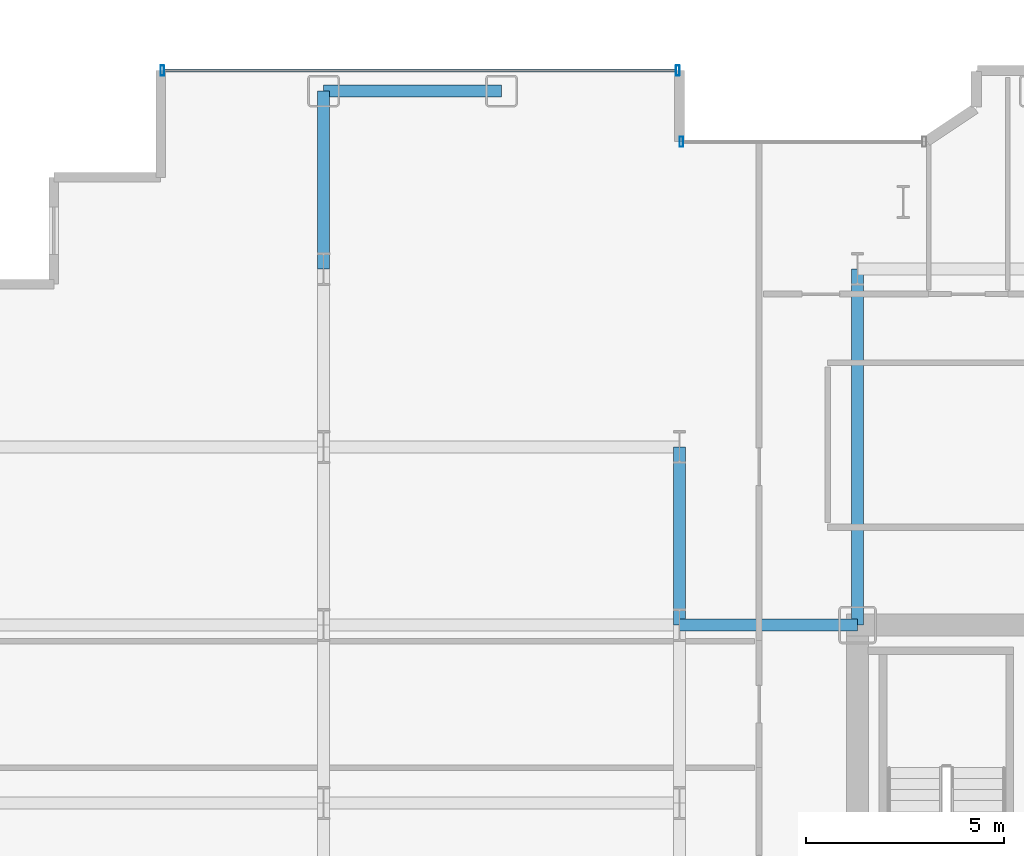
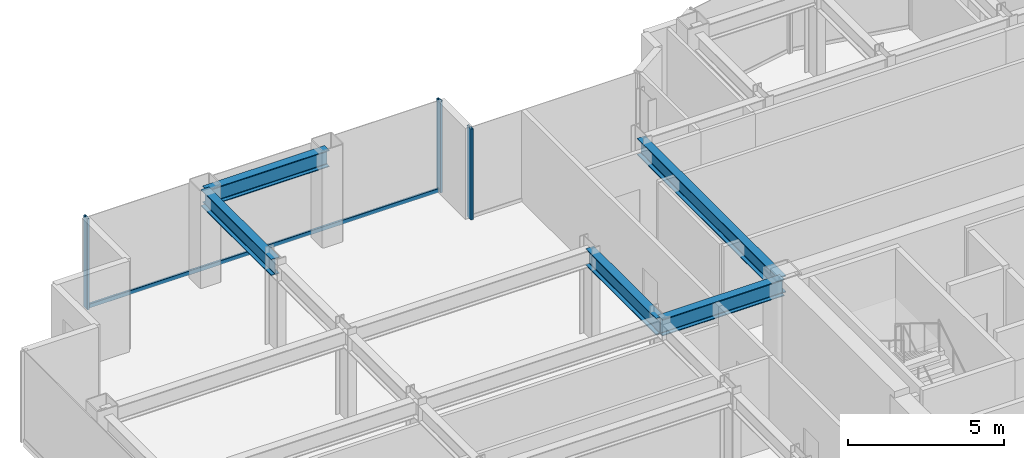
# One storey, part 13 of 27: 5 beams, 4 members, 2 elements without a shape of their own.
"""IFC4 building model written with IfcOpenShell, lengths in metres."""

from ifc_helpers import new_model, si_unit, direction, frame, origin, origin_2d, place, context, subcontext, project, spatial, hollow_rectangle, i_section, extrude, source, transform, mapped, material, layer, layer_set, material_profile, profile_set, type_object, element, aggregate, save


model = new_model("IFC4")

# Units and contexts
model_context = context("Model", 3, precision=1e-05, world=origin(), true_north=direction((0.0, 1.0)))
body_context = subcontext(model_context, "Body", "Model", "MODEL_VIEW")
ifc_project = project(units=[si_unit("LENGTHUNIT", "METRE"), si_unit("AREAUNIT", "SQUARE_METRE"), si_unit("VOLUMEUNIT", "CUBIC_METRE"), si_unit("PLANEANGLEUNIT", "RADIAN"), si_unit("MASSUNIT", "GRAM", prefix="KILO")], contexts=[model_context])

# Site, building, storey
site_placement = place(None, origin())
site = spatial("IfcSite", under=ifc_project, at=site_placement, CompositionType="ELEMENT")
building_placement = place(site_placement, origin())
building = spatial("IfcBuilding", under=site, at=building_placement, Name="Nefas-Gora Pilgrimage Tower", CompositionType="ELEMENT")
storey_placement = place(building_placement, frame((0.0, 0.0, 183.0)))
storey = spatial("IfcBuildingStorey", under=building, at=storey_placement, Name="L45", CompositionType="ELEMENT", Elevation=183.0)

# Beams
ifc_material_1 = material(Name="Steel S355", Category="steel")
ifc_material_profile_1 = material_profile(ifc_material_1, i_section(OverallWidth=0.300048828125, OverallDepth=0.64990234375, WebThickness=0.01611328125, FlangeThickness=0.031005859375, FilletRadius=0.027099609375, at=origin_2d()), Name="HEB 650")
ifc_profile_set_1 = profile_set([ifc_material_profile_1], Name="Steel S355")
beam_type_1 = type_object("IfcBeamType", Name="BM-SPN-HEB500", PredefinedType="SPANDREL", material=ifc_profile_set_1)
shared_shape_1 = source(origin(), body_context, "Body", "SweptSolid", [
    extrude(i_section(OverallWidth=0.300048828125, OverallDepth=0.64990234375, WebThickness=0.01611328125, FlangeThickness=0.031005859375, FilletRadius=0.027099609375, at=origin_2d()), origin(), (0.0, 0.0, 1.0), 4.5),
])
beam_1_placement = place(storey_placement, frame((-24.75, 22.5, 3.22509765625), z_axis=(1.0, 0.0, 0.0), x_axis=(0.0, 1.0, 0.0)))
element("IfcBeam", 1, at=beam_1_placement, inside=storey, type_object=beam_type_1, Name="L45 SP-02 beam", PredefinedType="SPANDREL", context=body_context, shape_type="MappedRepresentation", body=[
    mapped(shared_shape_1, transform((0.0, 0.0, 0.0), x_axis=(1.0, 0.0, 0.0), y_axis=(0.0, 1.0, 0.0), z_axis=(0.0, 0.0, 1.0), scale=1.0)),
])
ifc_material_profile_2 = material_profile(ifc_material_1, i_section(OverallWidth=0.300048828125, OverallDepth=0.64990234375, WebThickness=0.01611328125, FlangeThickness=0.031005859375, FilletRadius=0.027099609375, at=origin_2d()), Name="HEB 650")
ifc_profile_set_2 = profile_set([ifc_material_profile_2], Name="Steel S355")
beam_type_2 = type_object("IfcBeamType", Name="BM-GIR-HEB650", PredefinedType="BEAM", material=ifc_profile_set_2)
shared_shape_2 = source(origin(), body_context, "Body", "SweptSolid", [
    extrude(i_section(OverallWidth=0.300048828125, OverallDepth=0.64990234375, WebThickness=0.01611328125, FlangeThickness=0.031005859375, FilletRadius=0.027099609375, at=origin_2d()), origin(), (0.0, 0.0, 1.0), 9.0),
])
beam_2_placement = place(storey_placement, frame((-11.25, 9.0, 3.22509765625), z_axis=(0.0, 1.0, 0.0), x_axis=(-1.0, 0.0, 0.0)))
element("IfcBeam", 2, at=beam_2_placement, inside=storey, type_object=beam_type_2, Name="L45 G-03 beam", PredefinedType="BEAM", context=body_context, shape_type="MappedRepresentation", body=[
    mapped(shared_shape_2, transform((0.0, 0.0, 0.0), x_axis=(1.0, 0.0, 0.0), y_axis=(0.0, 1.0, 0.0), z_axis=(0.0, 0.0, 1.0), scale=1.0)),
])
shared_shape_3 = source(origin(), body_context, "Body", "SweptSolid", [
    extrude(i_section(OverallWidth=0.300048828125, OverallDepth=0.64990234375, WebThickness=0.01611328125, FlangeThickness=0.031005859375, FilletRadius=0.027099609375, at=origin_2d()), origin(), (0.0, 0.0, 1.0), 4.5),
])
for number, where, z_axis, x_axis, name in (
    (3, (-24.75, 18.0, 3.22509765625), (0.0, 1.0, 0.0), (-1.0, 0.0, 0.0), "L45 G-03 beam"),
    (4, (-15.75, 9.0, 3.22509765625), (0.0, 1.0, 0.0), (-1.0, 0.0, 0.0), "L45 G-03 beam"),
    (5, (-15.75, 9.0, 3.22509765625), (1.0, 0.0, 0.0), (0.0, 1.0, 0.0), "L45 G-03 beam"),
):
    element("IfcBeam", number, at=place(storey_placement, frame(where, z_axis=z_axis, x_axis=x_axis)), inside=storey, type_object=beam_type_2, Name=name, PredefinedType="BEAM", context=body_context, shape_type="MappedRepresentation", body=[
        mapped(shared_shape_3, transform((0.0, 0.0, 0.0), x_axis=(1.0, 0.0, 0.0), y_axis=(0.0, 1.0, 0.0), z_axis=(0.0, 0.0, 1.0), scale=1.0)),
    ])

# Curtain wall, member
ifc_material_2 = material(Name="Dark ceramic-fritted solar-control aluminium-glass curtain wall", Category="aluminium")
ifc_layer_1 = layer(ifc_material_2, 0.219970703125)
ifc_layer_set_1 = layer_set([ifc_layer_1], Name="Dark ceramic-fritted solar-control aluminium-glass curtain wall")
curtain_wall_type_1 = type_object("IfcCurtainWallType", Name="CW-SYS-5", PredefinedType="NOTDEFINED", material=ifc_layer_set_1)
curtain_wall_1_placement = place(storey_placement, origin())
curtain_wall_1 = element("IfcCurtainWall", 6, at=curtain_wall_1_placement, inside=storey, type_object=curtain_wall_type_1, Name="L45 Unitised Curtain Wall CW5", PredefinedType="NOTDEFINED")
ifc_material_3 = material(Name="Anodised architectural aluminium", Category="aluminium")
ifc_material_profile_3 = material_profile(ifc_material_3, hollow_rectangle(XDim=0.090087890625, YDim=0.260009765625, WallThickness=0.006103515625, InnerFilletRadius=0.006103515625, OuterFilletRadius=0.011962890625, at=origin_2d()), Name="ALU MULLION 90x260")
ifc_profile_set_3 = profile_set([ifc_material_profile_3], Name="Anodised architectural aluminium")
member_type_1 = type_object("IfcMemberType", Name="CWM-MUL-5", PredefinedType="MULLION", material=ifc_profile_set_3)
shared_shape_4 = source(origin(), body_context, "Body", "SweptSolid", [
    extrude(hollow_rectangle(XDim=0.090087890625, YDim=0.260009765625, WallThickness=0.006103515625, InnerFilletRadius=0.006103515625, OuterFilletRadius=0.011962890625, at=origin_2d()), origin(), (0.0, 0.0, 1.0), 3.550048828125),
])
member_1_placement = place(storey_placement, frame((-15.705078125, 21.219970703125, 0.0), z_axis=(0.0, 0.0, 1.0), x_axis=(-1.0, 0.0, 0.0)))
member_1 = element("IfcMember", 7, at=member_1_placement, type_object=member_type_1, Name="CW5 Mullion 2", PredefinedType="MULLION", context=body_context, shape_type="MappedRepresentation", body=[
    mapped(shared_shape_4, transform((0.0, 0.0, 0.0), x_axis=(1.0, 0.0, 0.0), y_axis=(0.0, 1.0, 0.0), z_axis=(0.0, 0.0, 1.0), scale=1.0)),
])
aggregate(curtain_wall_1, [member_1])

# Curtain wall, members
ifc_layer_2 = layer(ifc_material_2, 0.219970703125)
ifc_layer_set_2 = layer_set([ifc_layer_2], Name="Dark ceramic-fritted solar-control aluminium-glass curtain wall")
curtain_wall_type_2 = type_object("IfcCurtainWallType", Name="CW-SYS-3", PredefinedType="NOTDEFINED", material=ifc_layer_set_2)
curtain_wall_2_placement = place(storey_placement, origin())
curtain_wall_2 = element("IfcCurtainWall", 8, at=curtain_wall_2_placement, inside=storey, type_object=curtain_wall_type_2, Name="L45 Unitised Curtain Wall CW3", PredefinedType="NOTDEFINED")
ifc_material_profile_4 = material_profile(ifc_material_3, hollow_rectangle(XDim=0.090087890625, YDim=0.260009765625, WallThickness=0.006103515625, InnerFilletRadius=0.006103515625, OuterFilletRadius=0.011962890625, at=origin_2d()), Name="ALU MULLION 90x260")
ifc_profile_set_4 = profile_set([ifc_material_profile_4], Name="Anodised architectural aluminium")
member_type_2 = type_object("IfcMemberType", Name="CWM-MUL-3", PredefinedType="MULLION", material=ifc_profile_set_4)
shared_shape_5 = source(origin(), body_context, "Body", "SweptSolid", [
    extrude(hollow_rectangle(XDim=0.090087890625, YDim=0.260009765625, WallThickness=0.006103515625, InnerFilletRadius=0.006103515625, OuterFilletRadius=0.011962890625, at=origin_2d()), origin(), (0.0, 0.0, 1.0), 3.550048828125),
])
member_2_placement = place(storey_placement, frame((-15.794921875, 23.02001953125, 0.0), z_axis=(0.0, 0.0, 1.0), x_axis=(-1.0, 0.0, 0.0)))
member_2 = element("IfcMember", 9, at=member_2_placement, type_object=member_type_2, Name="CW3 Mullion 1", PredefinedType="MULLION", context=body_context, shape_type="MappedRepresentation", body=[
    mapped(shared_shape_5, transform((0.0, 0.0, 0.0), x_axis=(1.0, 0.0, 0.0), y_axis=(0.0, 1.0, 0.0), z_axis=(0.0, 0.0, 1.0), scale=1.0)),
])
member_3_placement = place(storey_placement, frame((-28.824951171875, 23.02001953125, 0.0), z_axis=(0.0, 0.0, 1.0), x_axis=(-1.0, 0.0, 0.0)))
member_3 = element("IfcMember", 10, at=member_3_placement, type_object=member_type_2, Name="CW3 Mullion 2", PredefinedType="MULLION", context=body_context, shape_type="MappedRepresentation", body=[
    mapped(shared_shape_5, transform((0.0, 0.0, 0.0), x_axis=(1.0, 0.0, 0.0), y_axis=(0.0, 1.0, 0.0), z_axis=(0.0, 0.0, 1.0), scale=1.0)),
])
ifc_material_profile_5 = material_profile(ifc_material_3, hollow_rectangle(XDim=0.080078125, YDim=0.159912109375, WallThickness=0.00439453125, InnerFilletRadius=0.00439453125, OuterFilletRadius=0.009033203125, at=origin_2d()), Name="ALU TRANSOM 80x160")
ifc_profile_set_5 = profile_set([ifc_material_profile_5], Name="Anodised architectural aluminium")
member_type_3 = type_object("IfcMemberType", Name="CWM-TRN-3", PredefinedType="USERDEFINED", material=ifc_profile_set_5)
shared_shape_6 = source(origin(), body_context, "Body", "SweptSolid", [
    extrude(hollow_rectangle(XDim=0.080078125, YDim=0.159912109375, WallThickness=0.00439453125, InnerFilletRadius=0.00439453125, OuterFilletRadius=0.009033203125, at=origin_2d()), origin(), (0.0, 0.0, 1.0), 12.93994140625),
])
member_4_placement = place(storey_placement, frame((-15.840087890625, 23.02001953125, 0.050048828125), z_axis=(-1.0, 0.0, 0.0), x_axis=(0.0, -1.0, 0.0)))
member_4 = element("IfcMember", 11, at=member_4_placement, type_object=member_type_3, Name="CW3 Spandrel Transom", ObjectType="TRANSOM", PredefinedType="USERDEFINED", context=body_context, shape_type="MappedRepresentation", body=[
    mapped(shared_shape_6, transform((0.0, 0.0, 0.0), x_axis=(1.0, 0.0, 0.0), y_axis=(0.0, 1.0, 0.0), z_axis=(0.0, 0.0, 1.0), scale=1.0)),
])
aggregate(curtain_wall_2, [member_2, member_3, member_4])

save(model, "model.ifc")
